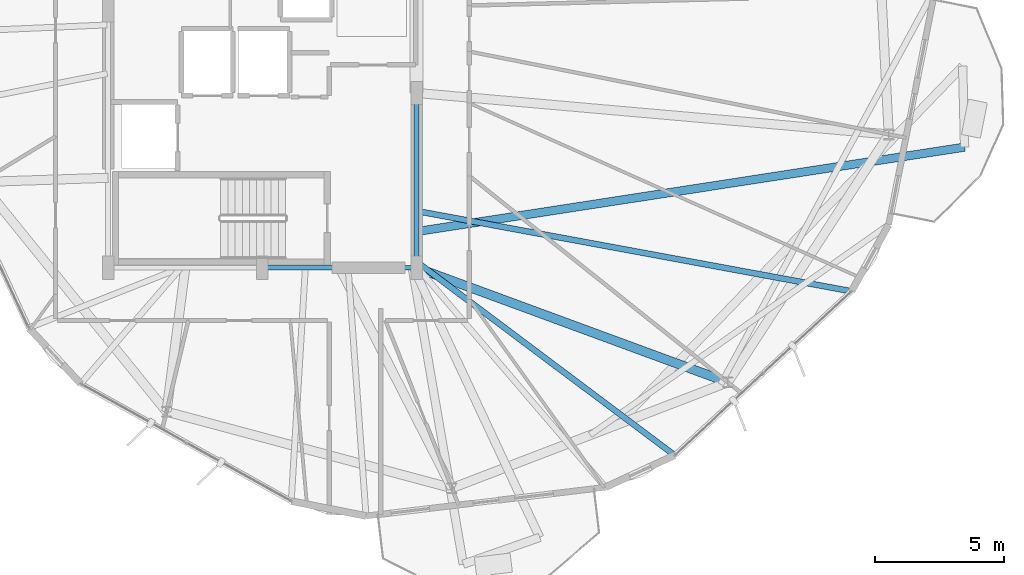
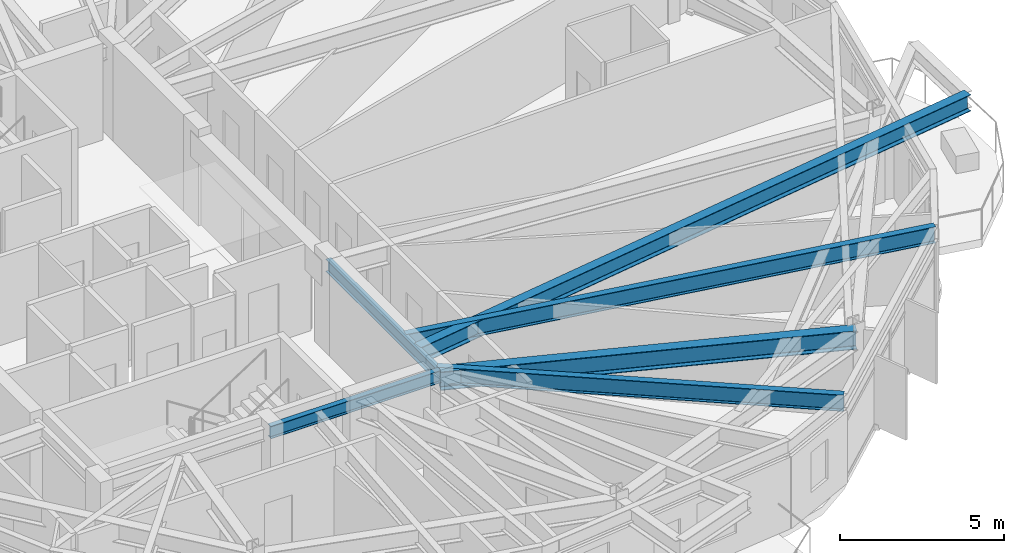
# One storey, part 6 of 25: 6 beams.
"""IFC4 building model written with IfcOpenShell, lengths in metres."""

import ifcopenshell
import ifcopenshell.guid

model = None  # the IFC model being written
_history = None  # IfcOwnerHistory: only IFC2X3 demands one
_inside = {}  # id of a spatial element -> (the spatial element, [elements in it])
_under = {}  # id of a project, library or spatial element -> (it, [spatial elements below it])
_declared = {}  # id of a project -> (the project, [libraries it declares])
_typed = {}  # id of a type object -> (the type object, [elements of that type])
_made_of = {}  # id of a material, layer set ... -> (it, [elements and type objects made of it])


def new_model(schema):
    """Start an empty IFC model of exactly this schema.

    Asked for "IFC4X3", IfcOpenShell would pick the latest addendum, in which some entities
    have other attributes; the version numbers below select the first issue.
    IFC2X3 requires an IfcOwnerHistory on every rooted entity: one is made here for all.
    """
    global model, _history
    if schema == "IFC4X3":
        model = ifcopenshell.file(schema_version=(4, 3, 0, 0))
    else:
        model = ifcopenshell.file(schema=schema)
    _inside.clear()
    _under.clear()
    _declared.clear()
    _typed.clear()
    _made_of.clear()
    _history = None
    if model.schema == "IFC2X3":
        org = make("IfcOrganization", Name="unknown")
        user = make(
            "IfcPersonAndOrganization",
            ThePerson=make("IfcPerson", FamilyName="unknown"),
            TheOrganization=org,
        )
        app = make(
            "IfcApplication",
            ApplicationDeveloper=org,
            Version="unknown",
            ApplicationFullName="unknown",
            ApplicationIdentifier="unknown",
        )
        _history = make(
            "IfcOwnerHistory",
            OwningUser=user,
            OwningApplication=app,
            ChangeAction="ADDED",
            CreationDate=0,
        )
    return model


def make(cls, **values):
    """One entity of the class cls with the attributes given. An attribute that is None is left unset."""
    return model.create_entity(
        cls, **{name: value for name, value in values.items() if value is not None}
    )


def rooted(cls, **values):
    """An entity with a GlobalId (a new one), such as an element, a storey or a relation."""
    return make(cls, GlobalId=ifcopenshell.guid.new(), OwnerHistory=_history, **values)


def si_unit(unit_type, name, prefix=None):
    """IfcSIUnit, for example si_unit("LENGTHUNIT", "METRE", prefix="MILLI")."""
    return make("IfcSIUnit", UnitType=unit_type, Prefix=prefix, Name=name)


def assignment(units):
    """IfcUnitAssignment: the units of a project."""
    return None if units is None else make("IfcUnitAssignment", Units=units)


def point(xyz):
    """IfcCartesianPoint."""
    return None if xyz is None else make("IfcCartesianPoint", Coordinates=xyz)


def direction(xyz):
    """IfcDirection."""
    return None if xyz is None else make("IfcDirection", DirectionRatios=xyz)


def frame(location, z_axis=None, x_axis=None):
    """IfcAxis2Placement3D, a coordinate frame: its origin and axes. An axis left out is left unset."""
    return make(
        "IfcAxis2Placement3D",
        Location=point(location),
        Axis=direction(z_axis),
        RefDirection=direction(x_axis),
    )


def frame_2d(location, x_axis=None):
    """IfcAxis2Placement2D, a coordinate frame in the plane: its origin and x axis."""
    return make(
        "IfcAxis2Placement2D", Location=point(location), RefDirection=direction(x_axis)
    )


def origin():
    """The frame at (0, 0, 0) with its axes left unset."""
    return frame((0.0, 0.0, 0.0))


def origin_2d():
    """The frame at (0, 0) in the plane with its x axis left unset."""
    return frame_2d((0.0, 0.0))


def place(relative_to, where):
    """IfcLocalPlacement: puts the frame where relative to a parent placement (None: the world)."""
    return make(
        "IfcLocalPlacement", PlacementRelTo=relative_to, RelativePlacement=where
    )


def context(
    kind, dimensions, precision=None, world=None, true_north=None, identifier=None
):
    """IfcGeometricRepresentationContext, for example the 3D "Model" context."""
    return make(
        "IfcGeometricRepresentationContext",
        ContextIdentifier=identifier,
        ContextType=kind,
        CoordinateSpaceDimension=dimensions,
        Precision=precision,
        WorldCoordinateSystem=world,
        TrueNorth=true_north,
    )


def subcontext(parent, identifier, kind, view, scale=None):
    """IfcGeometricRepresentationSubContext, for example "Body" below "Model"."""
    return make(
        "IfcGeometricRepresentationSubContext",
        ContextIdentifier=identifier,
        ContextType=kind,
        ParentContext=parent,
        TargetScale=scale,
        TargetView=view,
    )


def project(units=None, contexts=None):
    """IfcProject with its units and contexts."""
    return rooted(
        "IfcProject",
        Name="project",
        RepresentationContexts=contexts,
        UnitsInContext=assignment(units),
    )


def spatial(cls, under=None, at=None, **own):
    """A site, building, storey or space (cls), placed at a placement, below another one or the project."""
    s = rooted(cls, ObjectPlacement=at, **own)
    if under is not None:
        _under.setdefault(under.id(), (under, []))[1].append(s)
    return s


def profile(cls, at=None, kind="AREA", **sizes):
    """A parametric profile (cls). Its sizes go by their IFC names, for example OverallWidth=200.0."""
    return make(cls, ProfileType=kind, Position=at, **sizes)


def i_section(**sizes):
    """IfcIShapeProfileDef."""
    return profile("IfcIShapeProfileDef", **sizes)


def extrude(swept, where, along, depth):
    """IfcExtrudedAreaSolid: the profile swept, set in the frame where, extruded along a direction by depth."""
    return make(
        "IfcExtrudedAreaSolid",
        SweptArea=swept,
        Position=where,
        ExtrudedDirection=direction(along),
        Depth=depth,
    )


def shape(context_of_items, identifier, shape_type, items):
    """IfcShapeRepresentation: the items that make up one representation, for example the "Body"."""
    return make(
        "IfcShapeRepresentation",
        ContextOfItems=context_of_items,
        RepresentationIdentifier=identifier,
        RepresentationType=shape_type,
        Items=items,
    )


def material(Name=None, Category=None):
    """IfcMaterial."""
    return make("IfcMaterial", Name=Name, Category=Category)


def material_profile(
    of_material, cross_section, Name=None, Category=None, Priority=None
):
    """IfcMaterialProfile: a cross section and its material."""
    return make(
        "IfcMaterialProfile",
        Name=Name,
        Material=of_material,
        Profile=cross_section,
        Priority=Priority,
        Category=Category,
    )


def profile_set(profiles, Name=None, composite=None):
    """IfcMaterialProfileSet."""
    return make(
        "IfcMaterialProfileSet",
        Name=Name,
        MaterialProfiles=profiles,
        CompositeProfile=composite,
    )


def made_of(thing, what):
    """Note that an element or type object is made of a material, layer set ...; save() writes the relation."""
    if what is not None:
        _made_of.setdefault(what.id(), (what, []))[1].append(thing)
    return thing


def type_object(cls, material=None, **own):
    """A type object (cls), such as IfcWallType, which elements share."""
    return made_of(rooted(cls, **own), material)


def element(
    cls,
    number,
    at=None,
    inside=None,
    cuts=None,
    type_object=None,
    material=None,
    context=None,
    identifier="Body",
    shape_type=None,
    held_by="IfcProductDefinitionShape",
    body=None,
    shapes=None,
    **own,
):
    """One element of the class cls, such as IfcWall. Its Tag is "e" and its number.

    at: its placement. inside: the storey or other place that contains it. cuts: it is an
    opening in that element (IfcRelVoidsElement). A single representation is given by context,
    identifier, shape_type and body (its items); several are given by shapes. held_by: the class
    of the entity that holds the representations. save() writes the other relations.
    """
    e = rooted(cls, Tag="e%d" % number, ObjectPlacement=at, **own)
    if body is not None:
        shapes = [shape(context, identifier, shape_type, body)]
    if shapes is not None:
        e.Representation = make(held_by, Representations=shapes)
    if inside is not None:
        _inside.setdefault(inside.id(), (inside, []))[1].append(e)
    if cuts is not None:
        rooted(
            "IfcRelVoidsElement", RelatingBuildingElement=cuts, RelatedOpeningElement=e
        )
    if type_object is not None:
        _typed.setdefault(type_object.id(), (type_object, []))[1].append(e)
    return made_of(e, material)


def aggregate(whole, parts):
    """IfcRelAggregates: a whole, such as a stair, and the parts it consists of."""
    return rooted("IfcRelAggregates", RelatingObject=whole, RelatedObjects=parts)


def save(model, path):
    """Write the relations noted so far, then the file.

    IfcRelAggregates (storeys below a building ...), IfcRelContainedInSpatialStructure (elements
    in a storey), IfcRelDefinesByType, IfcRelAssociatesMaterial and IfcRelDeclares: one each for
    every whole, place, type object, material and project.
    """
    for whole, parts in _under.values():
        aggregate(whole, parts)
    for where, things in _inside.values():
        rooted(
            "IfcRelContainedInSpatialStructure",
            RelatedElements=things,
            RelatingStructure=where,
        )
    for kind, things in _typed.values():
        rooted("IfcRelDefinesByType", RelatedObjects=things, RelatingType=kind)
    for what, things in _made_of.values():
        rooted("IfcRelAssociatesMaterial", RelatedObjects=things, RelatingMaterial=what)
    for by, libraries in _declared.values():
        rooted("IfcRelDeclares", RelatingContext=by, RelatedDefinitions=libraries)
    model.write(path)


model = new_model("IFC4")

# Units and contexts
model_context = context("Model", 3, precision=1e-05, world=origin(), true_north=direction((0.0, 1.0)))
body_context = subcontext(model_context, "Body", "Model", "MODEL_VIEW")
ifc_project = project(units=[si_unit("LENGTHUNIT", "METRE"), si_unit("AREAUNIT", "SQUARE_METRE"), si_unit("VOLUMEUNIT", "CUBIC_METRE"), si_unit("PLANEANGLEUNIT", "RADIAN"), si_unit("MASSUNIT", "GRAM", prefix="KILO")], contexts=[model_context])

# Site, building, storey
site_placement = place(None, origin())
site = spatial("IfcSite", under=ifc_project, at=site_placement, CompositionType="ELEMENT")
building_placement = place(site_placement, origin())
building = spatial("IfcBuilding", under=site, at=building_placement, Name="Soratama Intermodal Tower", CompositionType="ELEMENT")
storey_placement = place(building_placement, frame((0.0, 0.0, 190.60009765625)))
storey = spatial("IfcBuildingStorey", under=building, at=storey_placement, Name="L47", CompositionType="ELEMENT", Elevation=190.60009765625)

# Beams
ifc_material_1 = material(Name="Structural steel ASTM A992 Grade 50", Category="steel")
ifc_material_profile_1 = material_profile(ifc_material_1, i_section(OverallWidth=0.324951171875, OverallDepth=0.615966796875, WebThickness=0.013916015625, FlangeThickness=0.021484375, FilletRadius=0.013916015625, at=origin_2d()), Name="W24X117")
ifc_profile_set_1 = profile_set([ifc_material_profile_1], Name="Structural steel ASTM A992 Grade 50")
beam_type_1 = type_object("IfcBeamType", Name="BM-CANT-W24X117", PredefinedType="BEAM", material=ifc_profile_set_1)
beam_1_placement = place(storey_placement, frame((44.639892578125, 16.4130859375, 2.991943359375), z_axis=(0.988333909291, 0.152302605842, 0.0), x_axis=(-0.152302605842, 0.988333909291, 0.0)))
element("IfcBeam", 1, at=beam_1_placement, inside=storey, type_object=beam_type_1, Name="BM-L47-CANT-1-1", PredefinedType="BEAM", context=body_context, shape_type="SweptSolid", body=[
    extrude(i_section(OverallWidth=0.324951171875, OverallDepth=0.615966796875, WebThickness=0.013916015625, FlangeThickness=0.021484375, FilletRadius=0.013916015625, at=origin_2d()), origin(), (0.0, 0.0, 1.0), 21.5283203125),
])
ifc_material_2 = material(Name="Structural steel ASTM A992 Grade 50", Category="steel")
ifc_material_profile_2 = material_profile(ifc_material_2, i_section(OverallWidth=0.19091796875, OverallDepth=0.4599609375, WebThickness=0.010009765625, FlangeThickness=0.01611328125, FilletRadius=0.010986328125, at=origin_2d()), Name="W18X55")
ifc_profile_set_2 = profile_set([ifc_material_profile_2], Name="Structural steel ASTM A992 Grade 50")
beam_type_2 = type_object("IfcBeamType", Name="BM-FLR-W18X55", PredefinedType="BEAM", material=ifc_profile_set_2)
beam_2_placement = place(storey_placement, frame((38.60009765625, 15.0, 3.06982421875), z_axis=(1.0, 0.0, 0.0), x_axis=(0.0, 1.0, 0.0)))
element("IfcBeam", 2, at=beam_2_placement, inside=storey, type_object=beam_type_2, Name="BM-L47-CRING-02", PredefinedType="BEAM", context=body_context, shape_type="SweptSolid", body=[
    extrude(i_section(OverallWidth=0.19091796875, OverallDepth=0.4599609375, WebThickness=0.010009765625, FlangeThickness=0.01611328125, FilletRadius=0.010986328125, at=origin_2d()), origin(), (0.0, 0.0, 1.0), 6.0),
])
beam_3_placement = place(storey_placement, frame((44.60009765625, 15.0, 3.06982421875), z_axis=(0.0, 1.0, 0.0), x_axis=(-1.0, 0.0, 0.0)))
element("IfcBeam", 3, at=beam_3_placement, inside=storey, type_object=beam_type_2, Name="BM-L47-CRING-03", PredefinedType="BEAM", context=body_context, shape_type="SweptSolid", body=[
    extrude(i_section(OverallWidth=0.19091796875, OverallDepth=0.4599609375, WebThickness=0.010009765625, FlangeThickness=0.01611328125, FilletRadius=0.010986328125, at=origin_2d()), origin(), (0.0, 0.0, 1.0), 6.800048828125),
])
ifc_material_3 = material(Name="Structural steel ASTM A992 Grade 50", Category="steel")
ifc_material_profile_3 = material_profile(ifc_material_3, i_section(OverallWidth=0.35498046875, OverallDepth=0.695068359375, WebThickness=0.015380859375, FlangeThickness=0.02490234375, FilletRadius=0.01611328125, at=origin_2d()), Name="W27X146")
ifc_profile_set_3 = profile_set([ifc_material_profile_3], Name="Structural steel ASTM A992 Grade 50")
beam_type_3 = type_object("IfcBeamType", Name="BM-RING-W27X146", PredefinedType="BEAM", material=ifc_profile_set_3)
beam_4_placement = place(storey_placement, frame((44.60009765625, 15.0, 2.952392578125), z_axis=(0.938460043872, -0.345387819785, 0.0), x_axis=(0.345387819785, 0.938460043872, 0.0)))
element("IfcBeam", 4, at=beam_4_placement, inside=storey, type_object=beam_type_3, Name="BM-L47-RAD-09", PredefinedType="BEAM", context=body_context, shape_type="SweptSolid", body=[
    extrude(i_section(OverallWidth=0.35498046875, OverallDepth=0.695068359375, WebThickness=0.015380859375, FlangeThickness=0.02490234375, FilletRadius=0.01611328125, at=origin_2d()), origin(), (0.0, 0.0, 1.0), 12.898681640625),
])
ifc_material_4 = material(Name="Structural steel ASTM A992 Grade 50", Category="steel")
ifc_material_profile_4 = material_profile(ifc_material_4, i_section(OverallWidth=0.22900390625, OverallDepth=0.612060546875, WebThickness=0.011962890625, FlangeThickness=0.01953125, FilletRadius=0.012939453125, at=origin_2d()), Name="W24X84")
ifc_profile_set_4 = profile_set([ifc_material_profile_4], Name="Structural steel ASTM A992 Grade 50")
beam_type_4 = type_object("IfcBeamType", Name="BM-TIE-W24X84", PredefinedType="BEAM", material=ifc_profile_set_4)
beam_5_placement = place(storey_placement, frame((44.632080078125, 15.208984375, 2.993896484375), z_axis=(0.800072591408, -0.599903199256, 0.0), x_axis=(0.599903199256, 0.800072591408, 0.0)))
element("IfcBeam", 5, at=beam_5_placement, inside=storey, type_object=beam_type_4, Name="BM-L47-TIE0-08", PredefinedType="BEAM", context=body_context, shape_type="SweptSolid", body=[
    extrude(i_section(OverallWidth=0.22900390625, OverallDepth=0.612060546875, WebThickness=0.011962890625, FlangeThickness=0.01953125, FilletRadius=0.012939453125, at=origin_2d()), origin(), (0.0, 0.0, 1.0), 12.51025390625),
])
beam_6_placement = place(storey_placement, frame((44.638916015625, 17.198974609375, 2.993896484375), z_axis=(0.983397997247, -0.181461783887, 0.0), x_axis=(0.181461783887, 0.983397997247, 0.0)))
element("IfcBeam", 6, at=beam_6_placement, inside=storey, type_object=beam_type_4, Name="BM-L47-TIE1-08", PredefinedType="BEAM", context=body_context, shape_type="SweptSolid", body=[
    extrude(i_section(OverallWidth=0.22900390625, OverallDepth=0.612060546875, WebThickness=0.011962890625, FlangeThickness=0.01953125, FilletRadius=0.012939453125, at=origin_2d()), origin(), (0.0, 0.0, 1.0), 17.166015625),
])

save(model, "model.ifc")
